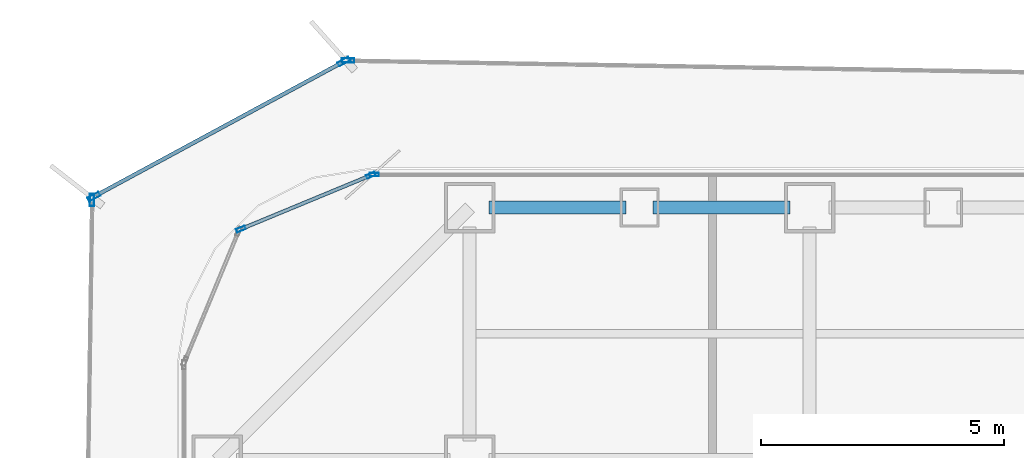
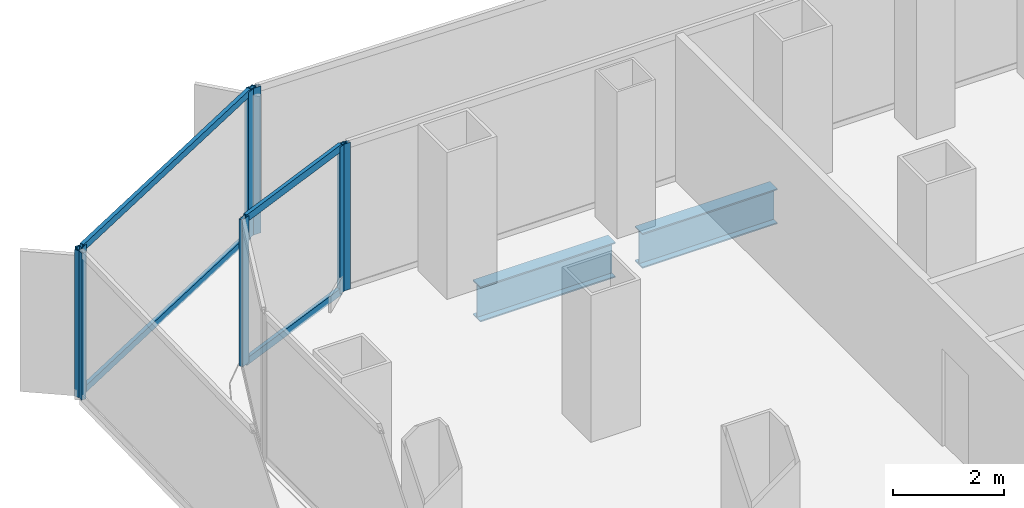
# One storey, part 11 of 22: 11 members, 2 beams, 5 elements without a shape of their own.
"""IFC4 building model written with IfcOpenShell, lengths in metres."""

import ifcopenshell
import ifcopenshell.guid

model = None  # the IFC model being written
_history = None  # IfcOwnerHistory: only IFC2X3 demands one
_inside = {}  # id of a spatial element -> (the spatial element, [elements in it])
_under = {}  # id of a project, library or spatial element -> (it, [spatial elements below it])
_declared = {}  # id of a project -> (the project, [libraries it declares])
_typed = {}  # id of a type object -> (the type object, [elements of that type])
_made_of = {}  # id of a material, layer set ... -> (it, [elements and type objects made of it])


def new_model(schema):
    """Start an empty IFC model of exactly this schema.

    Asked for "IFC4X3", IfcOpenShell would pick the latest addendum, in which some entities
    have other attributes; the version numbers below select the first issue.
    IFC2X3 requires an IfcOwnerHistory on every rooted entity: one is made here for all.
    """
    global model, _history
    if schema == "IFC4X3":
        model = ifcopenshell.file(schema_version=(4, 3, 0, 0))
    else:
        model = ifcopenshell.file(schema=schema)
    _inside.clear()
    _under.clear()
    _declared.clear()
    _typed.clear()
    _made_of.clear()
    _history = None
    if model.schema == "IFC2X3":
        org = make("IfcOrganization", Name="unknown")
        user = make(
            "IfcPersonAndOrganization",
            ThePerson=make("IfcPerson", FamilyName="unknown"),
            TheOrganization=org,
        )
        app = make(
            "IfcApplication",
            ApplicationDeveloper=org,
            Version="unknown",
            ApplicationFullName="unknown",
            ApplicationIdentifier="unknown",
        )
        _history = make(
            "IfcOwnerHistory",
            OwningUser=user,
            OwningApplication=app,
            ChangeAction="ADDED",
            CreationDate=0,
        )
    return model


def make(cls, **values):
    """One entity of the class cls with the attributes given. An attribute that is None is left unset."""
    return model.create_entity(
        cls, **{name: value for name, value in values.items() if value is not None}
    )


def rooted(cls, **values):
    """An entity with a GlobalId (a new one), such as an element, a storey or a relation."""
    return make(cls, GlobalId=ifcopenshell.guid.new(), OwnerHistory=_history, **values)


def si_unit(unit_type, name, prefix=None):
    """IfcSIUnit, for example si_unit("LENGTHUNIT", "METRE", prefix="MILLI")."""
    return make("IfcSIUnit", UnitType=unit_type, Prefix=prefix, Name=name)


def assignment(units):
    """IfcUnitAssignment: the units of a project."""
    return None if units is None else make("IfcUnitAssignment", Units=units)


def point(xyz):
    """IfcCartesianPoint."""
    return None if xyz is None else make("IfcCartesianPoint", Coordinates=xyz)


def direction(xyz):
    """IfcDirection."""
    return None if xyz is None else make("IfcDirection", DirectionRatios=xyz)


def frame(location, z_axis=None, x_axis=None):
    """IfcAxis2Placement3D, a coordinate frame: its origin and axes. An axis left out is left unset."""
    return make(
        "IfcAxis2Placement3D",
        Location=point(location),
        Axis=direction(z_axis),
        RefDirection=direction(x_axis),
    )


def frame_2d(location, x_axis=None):
    """IfcAxis2Placement2D, a coordinate frame in the plane: its origin and x axis."""
    return make(
        "IfcAxis2Placement2D", Location=point(location), RefDirection=direction(x_axis)
    )


def origin():
    """The frame at (0, 0, 0) with its axes left unset."""
    return frame((0.0, 0.0, 0.0))


def origin_2d():
    """The frame at (0, 0) in the plane with its x axis left unset."""
    return frame_2d((0.0, 0.0))


def place(relative_to, where):
    """IfcLocalPlacement: puts the frame where relative to a parent placement (None: the world)."""
    return make(
        "IfcLocalPlacement", PlacementRelTo=relative_to, RelativePlacement=where
    )


def context(
    kind, dimensions, precision=None, world=None, true_north=None, identifier=None
):
    """IfcGeometricRepresentationContext, for example the 3D "Model" context."""
    return make(
        "IfcGeometricRepresentationContext",
        ContextIdentifier=identifier,
        ContextType=kind,
        CoordinateSpaceDimension=dimensions,
        Precision=precision,
        WorldCoordinateSystem=world,
        TrueNorth=true_north,
    )


def subcontext(parent, identifier, kind, view, scale=None):
    """IfcGeometricRepresentationSubContext, for example "Body" below "Model"."""
    return make(
        "IfcGeometricRepresentationSubContext",
        ContextIdentifier=identifier,
        ContextType=kind,
        ParentContext=parent,
        TargetScale=scale,
        TargetView=view,
    )


def project(units=None, contexts=None):
    """IfcProject with its units and contexts."""
    return rooted(
        "IfcProject",
        Name="project",
        RepresentationContexts=contexts,
        UnitsInContext=assignment(units),
    )


def spatial(cls, under=None, at=None, **own):
    """A site, building, storey or space (cls), placed at a placement, below another one or the project."""
    s = rooted(cls, ObjectPlacement=at, **own)
    if under is not None:
        _under.setdefault(under.id(), (under, []))[1].append(s)
    return s


def profile(cls, at=None, kind="AREA", **sizes):
    """A parametric profile (cls). Its sizes go by their IFC names, for example OverallWidth=200.0."""
    return make(cls, ProfileType=kind, Position=at, **sizes)


def hollow_rectangle(**sizes):
    """IfcRectangleHollowProfileDef."""
    return profile("IfcRectangleHollowProfileDef", **sizes)


def i_section(**sizes):
    """IfcIShapeProfileDef."""
    return profile("IfcIShapeProfileDef", **sizes)


def extrude(swept, where, along, depth):
    """IfcExtrudedAreaSolid: the profile swept, set in the frame where, extruded along a direction by depth."""
    return make(
        "IfcExtrudedAreaSolid",
        SweptArea=swept,
        Position=where,
        ExtrudedDirection=direction(along),
        Depth=depth,
    )


def shape(context_of_items, identifier, shape_type, items):
    """IfcShapeRepresentation: the items that make up one representation, for example the "Body"."""
    return make(
        "IfcShapeRepresentation",
        ContextOfItems=context_of_items,
        RepresentationIdentifier=identifier,
        RepresentationType=shape_type,
        Items=items,
    )


def source(mapping_origin, context_of_items, identifier, shape_type, items):
    """IfcRepresentationMap: a shape defined once, which mapped items show again and again."""
    return make(
        "IfcRepresentationMap",
        MappingOrigin=mapping_origin,
        MappedRepresentation=shape(context_of_items, identifier, shape_type, items),
    )


def transform(
    local_origin,
    x_axis=None,
    y_axis=None,
    z_axis=None,
    scale=None,
    scale2=None,
    scale3=None,
    uniform=True,
):
    """IfcCartesianTransformationOperator3D, or its non-uniform kind. x_axis, y_axis, z_axis: its Axis1, 2, 3."""
    if uniform:
        return make(
            "IfcCartesianTransformationOperator3D",
            Axis1=direction(x_axis),
            Axis2=direction(y_axis),
            LocalOrigin=point(local_origin),
            Scale=scale,
            Axis3=direction(z_axis),
        )
    return make(
        "IfcCartesianTransformationOperator3DnonUniform",
        Axis1=direction(x_axis),
        Axis2=direction(y_axis),
        LocalOrigin=point(local_origin),
        Scale=scale,
        Axis3=direction(z_axis),
        Scale2=scale2,
        Scale3=scale3,
    )


def mapped(mapping_source, mapping_target):
    """IfcMappedItem: shows the shape of a source again, moved by a transform."""
    return make(
        "IfcMappedItem", MappingSource=mapping_source, MappingTarget=mapping_target
    )


def material(Name=None, Category=None):
    """IfcMaterial."""
    return make("IfcMaterial", Name=Name, Category=Category)


def layer(
    of_material, thickness, ventilated=None, Name=None, Category=None, Priority=None
):
    """IfcMaterialLayer: one layer of a wall or slab, of a material (None: an air gap)."""
    return make(
        "IfcMaterialLayer",
        Material=of_material,
        LayerThickness=thickness,
        IsVentilated=ventilated,
        Name=Name,
        Category=Category,
        Priority=Priority,
    )


def layer_set(layers, Name=None):
    """IfcMaterialLayerSet."""
    return make("IfcMaterialLayerSet", MaterialLayers=layers, LayerSetName=Name)


def material_profile(
    of_material, cross_section, Name=None, Category=None, Priority=None
):
    """IfcMaterialProfile: a cross section and its material."""
    return make(
        "IfcMaterialProfile",
        Name=Name,
        Material=of_material,
        Profile=cross_section,
        Priority=Priority,
        Category=Category,
    )


def profile_set(profiles, Name=None, composite=None):
    """IfcMaterialProfileSet."""
    return make(
        "IfcMaterialProfileSet",
        Name=Name,
        MaterialProfiles=profiles,
        CompositeProfile=composite,
    )


def made_of(thing, what):
    """Note that an element or type object is made of a material, layer set ...; save() writes the relation."""
    if what is not None:
        _made_of.setdefault(what.id(), (what, []))[1].append(thing)
    return thing


def type_object(cls, material=None, **own):
    """A type object (cls), such as IfcWallType, which elements share."""
    return made_of(rooted(cls, **own), material)


def element(
    cls,
    number,
    at=None,
    inside=None,
    cuts=None,
    type_object=None,
    material=None,
    context=None,
    identifier="Body",
    shape_type=None,
    held_by="IfcProductDefinitionShape",
    body=None,
    shapes=None,
    **own,
):
    """One element of the class cls, such as IfcWall. Its Tag is "e" and its number.

    at: its placement. inside: the storey or other place that contains it. cuts: it is an
    opening in that element (IfcRelVoidsElement). A single representation is given by context,
    identifier, shape_type and body (its items); several are given by shapes. held_by: the class
    of the entity that holds the representations. save() writes the other relations.
    """
    e = rooted(cls, Tag="e%d" % number, ObjectPlacement=at, **own)
    if body is not None:
        shapes = [shape(context, identifier, shape_type, body)]
    if shapes is not None:
        e.Representation = make(held_by, Representations=shapes)
    if inside is not None:
        _inside.setdefault(inside.id(), (inside, []))[1].append(e)
    if cuts is not None:
        rooted(
            "IfcRelVoidsElement", RelatingBuildingElement=cuts, RelatedOpeningElement=e
        )
    if type_object is not None:
        _typed.setdefault(type_object.id(), (type_object, []))[1].append(e)
    return made_of(e, material)


def aggregate(whole, parts):
    """IfcRelAggregates: a whole, such as a stair, and the parts it consists of."""
    return rooted("IfcRelAggregates", RelatingObject=whole, RelatedObjects=parts)


def save(model, path):
    """Write the relations noted so far, then the file.

    IfcRelAggregates (storeys below a building ...), IfcRelContainedInSpatialStructure (elements
    in a storey), IfcRelDefinesByType, IfcRelAssociatesMaterial and IfcRelDeclares: one each for
    every whole, place, type object, material and project.
    """
    for whole, parts in _under.values():
        aggregate(whole, parts)
    for where, things in _inside.values():
        rooted(
            "IfcRelContainedInSpatialStructure",
            RelatedElements=things,
            RelatingStructure=where,
        )
    for kind, things in _typed.values():
        rooted("IfcRelDefinesByType", RelatedObjects=things, RelatingType=kind)
    for what, things in _made_of.values():
        rooted("IfcRelAssociatesMaterial", RelatedObjects=things, RelatingMaterial=what)
    for by, libraries in _declared.values():
        rooted("IfcRelDeclares", RelatingContext=by, RelatedDefinitions=libraries)
    model.write(path)


model = new_model("IFC4")

# Units and contexts
model_context = context("Model", 3, precision=1e-05, world=origin(), true_north=direction((0.0, 1.0)))
body_context = subcontext(model_context, "Body", "Model", "MODEL_VIEW")
ifc_project = project(units=[si_unit("LENGTHUNIT", "METRE"), si_unit("AREAUNIT", "SQUARE_METRE"), si_unit("VOLUMEUNIT", "CUBIC_METRE"), si_unit("PLANEANGLEUNIT", "RADIAN"), si_unit("MASSUNIT", "GRAM", prefix="KILO")], contexts=[model_context])

# Site, building, storey
site_placement = place(None, origin())
site = spatial("IfcSite", under=ifc_project, at=site_placement, CompositionType="ELEMENT")
building_placement = place(site_placement, origin())
building = spatial("IfcBuilding", under=site, at=building_placement, Name="Kolveth Station Tower", CompositionType="ELEMENT")
storey_placement = place(building_placement, frame((0.0, 0.0, 72.89990234375)))
storey = spatial("IfcBuildingStorey", under=building, at=storey_placement, Name="L19", CompositionType="ELEMENT", Elevation=72.89990234375)

# Beams
ifc_material_1 = material(Name="Steel S355", Category="steel")
ifc_material_profile_1 = material_profile(ifc_material_1, i_section(OverallWidth=0.26904296875, OverallDepth=0.77490234375, WebThickness=0.01708984375, FlangeThickness=0.0283203125, at=origin_2d()), Name="W760x220")
ifc_profile_set_1 = profile_set([ifc_material_profile_1], Name="Steel S355")
beam_type = type_object("IfcBeamType", Name="Beam_SP1", PredefinedType="SPANDREL", material=ifc_profile_set_1)
shared_shape_1 = source(origin(), body_context, "Body", "SweptSolid", [
    extrude(i_section(OverallWidth=0.26904296875, OverallDepth=0.77490234375, WebThickness=0.01708984375, FlangeThickness=0.0283203125, at=origin_2d()), origin(), (0.0, 0.0, 1.0), 2.820068359375),
])
for number, where, z_axis, x_axis, name in (
    (1, (6.39990234375, 39.699951171875, -0.66748046875), (1.0, 0.0, 0.0), (0.0, 1.0, 0.0), "L19 Perimeter Spandrel BM-L19-PN-1"),
    (2, (9.780029296875, 39.699951171875, -0.66748046875), (1.0, 0.0, 0.0), (0.0, 1.0, 0.0), "L19 Perimeter Spandrel BM-L19-PN-2"),
):
    element("IfcBeam", number, at=place(storey_placement, frame(where, z_axis=z_axis, x_axis=x_axis)), inside=storey, type_object=beam_type, Name=name, PredefinedType="SPANDREL", context=body_context, shape_type="MappedRepresentation", body=[
        mapped(shared_shape_1, transform((0.0, 0.0, 0.0), x_axis=(1.0, 0.0, 0.0), y_axis=(0.0, 1.0, 0.0), z_axis=(0.0, 0.0, 1.0), scale=1.0)),
    ])

# Curtain wall, members
ifc_material_2 = material(Name="Aluminium 6063-T6 and low-E dark glass", Category="aluminium")
ifc_layer_1 = layer(ifc_material_2, 0.179931640625)
ifc_layer_set_1 = layer_set([ifc_layer_1], Name="Aluminium 6063-T6 and low-E dark glass")
curtain_wall_type_1 = type_object("IfcCurtainWallType", Name="CurtainWall_CW-Z1", PredefinedType="NOTDEFINED", material=ifc_layer_set_1)
curtain_wall_1_placement = place(storey_placement, origin())
curtain_wall_1 = element("IfcCurtainWall", 3, at=curtain_wall_1_placement, inside=storey, type_object=curtain_wall_type_1, Name="L19 Inner Thermal Curtain Wall 7", PredefinedType="NOTDEFINED")
ifc_material_3 = material(Name="Black anodized aluminium 6063-T6", Category="aluminium")
ifc_material_profile_2 = material_profile(ifc_material_3, hollow_rectangle(XDim=0.074951171875, YDim=0.159912109375, WallThickness=0.0048828125, at=origin_2d()), Name="ALU-75x160x5")
ifc_profile_set_2 = profile_set([ifc_material_profile_2], Name="Black anodized aluminium 6063-T6")
member_type_1 = type_object("IfcMemberType", Name="Transom_TR1", PredefinedType="USERDEFINED", material=ifc_profile_set_2)
shared_shape_2 = source(origin(), body_context, "Body", "SweptSolid", [
    extrude(hollow_rectangle(XDim=0.074951171875, YDim=0.159912109375, WallThickness=0.0048828125, at=origin_2d()), origin(), (0.0, 0.0, 1.0), 2.819580078125),
])
member_1_placement = place(storey_placement, frame((3.9306640625, 40.351318359375, 0.03759765625), z_axis=(-0.923869084389, -0.382708655389, 0.0), x_axis=(0.382708655389, -0.923869084389, 0.0)))
member_1 = element("IfcMember", 4, at=member_1_placement, type_object=member_type_1, Name="CW-Z1 transom 1.1", ObjectType="TRANSOM", PredefinedType="USERDEFINED", context=body_context, shape_type="MappedRepresentation", body=[
    mapped(shared_shape_2, transform((0.0, 0.0, 0.0), x_axis=(1.0, 0.0, 0.0), y_axis=(0.0, 1.0, 0.0), z_axis=(0.0, 0.0, 1.0), scale=1.0)),
])
member_2_placement = place(storey_placement, frame((3.9306640625, 40.351318359375, 3.20263671875), z_axis=(-0.923869084389, -0.382708655389, 0.0), x_axis=(0.382708655389, -0.923869084389, 0.0)))
member_2 = element("IfcMember", 5, at=member_2_placement, type_object=member_type_1, Name="CW-Z1 transom 1.2", ObjectType="TRANSOM", PredefinedType="USERDEFINED", context=body_context, shape_type="MappedRepresentation", body=[
    mapped(shared_shape_2, transform((0.0, 0.0, 0.0), x_axis=(1.0, 0.0, 0.0), y_axis=(0.0, 1.0, 0.0), z_axis=(0.0, 0.0, 1.0), scale=1.0)),
])

# Curtain wall, member
curtain_wall_2_placement = place(storey_placement, origin())
curtain_wall_2 = element("IfcCurtainWall", 6, at=curtain_wall_2_placement, inside=storey, type_object=curtain_wall_type_1, Name="L19 Inner Thermal Curtain Wall 6", PredefinedType="NOTDEFINED")
ifc_material_profile_3 = material_profile(ifc_material_3, hollow_rectangle(XDim=0.074951171875, YDim=0.18994140625, WallThickness=0.0048828125, at=origin_2d()), Name="ALU-75x190x5")
ifc_profile_set_3 = profile_set([ifc_material_profile_3], Name="Black anodized aluminium 6063-T6")
member_type_2 = type_object("IfcMemberType", Name="Mullion_ML1", PredefinedType="MULLION", material=ifc_profile_set_3)
shared_shape_3 = source(origin(), body_context, "Body", "SweptSolid", [
    extrude(hollow_rectangle(XDim=0.074951171875, YDim=0.18994140625, WallThickness=0.0048828125, at=origin_2d()), origin(), (0.0, 0.0, 1.0), 3.239990234375),
])
member_3_placement = place(storey_placement, frame((4.03759765625, 40.3798828125, 0.0), z_axis=(0.0, 0.0, 1.0), x_axis=(0.0, -1.0, 0.0)))
member_3 = element("IfcMember", 7, at=member_3_placement, type_object=member_type_2, Name="CW-Z1 mullion 3", PredefinedType="MULLION", context=body_context, shape_type="MappedRepresentation", body=[
    mapped(shared_shape_3, transform((0.0, 0.0, 0.0), x_axis=(1.0, 0.0, 0.0), y_axis=(0.0, 1.0, 0.0), z_axis=(0.0, 0.0, 1.0), scale=1.0)),
])
aggregate(curtain_wall_2, [member_3])

# Member
member_4_placement = place(storey_placement, frame((3.96533203125, 40.36572265625, 0.0), z_axis=(0.0, 0.0, 1.0), x_axis=(0.382672990201, -0.923883857728, 0.0)))
member_4 = element("IfcMember", 8, at=member_4_placement, type_object=member_type_2, Name="CW-Z1 mullion 1", PredefinedType="MULLION", context=body_context, shape_type="MappedRepresentation", body=[
    mapped(shared_shape_3, transform((0.0, 0.0, 0.0), x_axis=(1.0, 0.0, 0.0), y_axis=(0.0, 1.0, 0.0), z_axis=(0.0, 0.0, 1.0), scale=1.0)),
])

member_5_placement = place(storey_placement, frame((1.291015625, 39.258056640625, 0.0), z_axis=(0.0, 0.0, 1.0), x_axis=(0.382672990201, -0.923883857728, 0.0)))
member_5 = element("IfcMember", 9, at=member_5_placement, type_object=member_type_2, Name="CW-Z1 mullion 2", PredefinedType="MULLION", context=body_context, shape_type="MappedRepresentation", body=[
    mapped(shared_shape_3, transform((0.0, 0.0, 0.0), x_axis=(1.0, 0.0, 0.0), y_axis=(0.0, 1.0, 0.0), z_axis=(0.0, 0.0, 1.0), scale=1.0)),
])

aggregate(curtain_wall_1, [member_4, member_5, member_1, member_2])

# Curtain wall, member
ifc_material_4 = material(Name="Black anodized aluminium 6063-T6 and dark solar glass", Category="aluminium")
ifc_layer_2 = layer(ifc_material_4, 0.159912109375)
ifc_layer_set_2 = layer_set([ifc_layer_2], Name="Black anodized aluminium 6063-T6 and dark solar glass")
curtain_wall_type_2 = type_object("IfcCurtainWallType", Name="OUTER SKIN CW-OS", PredefinedType="NOTDEFINED", material=ifc_layer_set_2)
curtain_wall_3_placement = place(storey_placement, origin())
curtain_wall_3 = element("IfcCurtainWall", 10, at=curtain_wall_3_placement, inside=storey, type_object=curtain_wall_type_2, Name="L19 Outer Ventilated Skin Curtain Wall 4", PredefinedType="NOTDEFINED")
ifc_material_profile_4 = material_profile(ifc_material_3, hollow_rectangle(XDim=0.090087890625, YDim=0.260009765625, WallThickness=0.0048828125, at=origin_2d()), Name="ALU-90x260x5")
ifc_profile_set_4 = profile_set([ifc_material_profile_4], Name="Black anodized aluminium 6063-T6")
member_type_3 = type_object("IfcMemberType", Name="FIN MULLION ML-OS", PredefinedType="MULLION", material=ifc_profile_set_4)
shared_shape_4 = source(origin(), body_context, "Body", "SweptSolid", [
    extrude(hollow_rectangle(XDim=0.090087890625, YDim=0.260009765625, WallThickness=0.0048828125, at=origin_2d()), origin(), (0.0, 0.0, 1.0), 3.239990234375),
])
member_6_placement = place(storey_placement, frame((3.49609375, 42.72998046875, 0.0), z_axis=(0.0, 0.0, 1.0), x_axis=(-0.016902817147, -0.999857137181, 0.0)))
member_6 = element("IfcMember", 11, at=member_6_placement, type_object=member_type_3, Name="CW-OS mullion 2", PredefinedType="MULLION", context=body_context, shape_type="MappedRepresentation", body=[
    mapped(shared_shape_4, transform((0.0, 0.0, 0.0), x_axis=(1.0, 0.0, 0.0), y_axis=(0.0, 1.0, 0.0), z_axis=(0.0, 0.0, 1.0), scale=1.0)),
])
aggregate(curtain_wall_3, [member_6])

# Curtain wall, members
curtain_wall_4_placement = place(storey_placement, origin())
curtain_wall_4 = element("IfcCurtainWall", 12, at=curtain_wall_4_placement, inside=storey, type_object=curtain_wall_type_2, Name="L19 Outer Ventilated Skin Curtain Wall 5", PredefinedType="NOTDEFINED")
member_7_placement = place(storey_placement, frame((3.411376953125, 42.70947265625, 0.0), z_axis=(0.0, 0.0, 1.0), x_axis=(0.475606809245, -0.879657980695, 0.0)))
member_7 = element("IfcMember", 13, at=member_7_placement, type_object=member_type_3, Name="CW-OS mullion 1", PredefinedType="MULLION", context=body_context, shape_type="MappedRepresentation", body=[
    mapped(shared_shape_4, transform((0.0, 0.0, 0.0), x_axis=(1.0, 0.0, 0.0), y_axis=(0.0, 1.0, 0.0), z_axis=(0.0, 0.0, 1.0), scale=1.0)),
])
member_8_placement = place(storey_placement, frame((-1.7353515625, 39.9267578125, 0.0), z_axis=(0.0, 0.0, 1.0), x_axis=(0.475606809245, -0.879657980695, 0.0)))
member_8 = element("IfcMember", 14, at=member_8_placement, type_object=member_type_3, Name="CW-OS mullion 2", PredefinedType="MULLION", context=body_context, shape_type="MappedRepresentation", body=[
    mapped(shared_shape_4, transform((0.0, 0.0, 0.0), x_axis=(1.0, 0.0, 0.0), y_axis=(0.0, 1.0, 0.0), z_axis=(0.0, 0.0, 1.0), scale=1.0)),
])

# Curtain wall, member
curtain_wall_5_placement = place(storey_placement, origin())
curtain_wall_5 = element("IfcCurtainWall", 15, at=curtain_wall_5_placement, inside=storey, type_object=curtain_wall_type_2, Name="L19 Outer Ventilated Skin Curtain Wall 6", PredefinedType="NOTDEFINED")
member_9_placement = place(storey_placement, frame((-1.775634765625, 39.8603515625, 0.0), z_axis=(0.0, 0.0, 1.0), x_axis=(0.999883199442, -0.015283568744, 0.0)))
member_9 = element("IfcMember", 16, at=member_9_placement, type_object=member_type_3, Name="CW-OS mullion 1", PredefinedType="MULLION", context=body_context, shape_type="MappedRepresentation", body=[
    mapped(shared_shape_4, transform((0.0, 0.0, 0.0), x_axis=(1.0, 0.0, 0.0), y_axis=(0.0, 1.0, 0.0), z_axis=(0.0, 0.0, 1.0), scale=1.0)),
])
aggregate(curtain_wall_5, [member_9])

# Member
ifc_material_profile_5 = material_profile(ifc_material_3, hollow_rectangle(XDim=0.080078125, YDim=0.14990234375, WallThickness=0.0048828125, at=origin_2d()), Name="ALU-80x150x5")
ifc_profile_set_5 = profile_set([ifc_material_profile_5], Name="Black anodized aluminium 6063-T6")
member_type_4 = type_object("IfcMemberType", Name="Transom_TR-OS", PredefinedType="USERDEFINED", material=ifc_profile_set_5)
shared_shape_5 = source(origin(), body_context, "Body", "SweptSolid", [
    extrude(hollow_rectangle(XDim=0.080078125, YDim=0.14990234375, WallThickness=0.0048828125, at=origin_2d()), origin(), (0.0, 0.0, 1.0), 5.760986328125),
])
member_10_placement = place(storey_placement, frame((3.371826171875, 42.68798828125, 0.0400390625), z_axis=(-0.879653325163, -0.475615419777, 0.0), x_axis=(0.475615419777, -0.879653325163, 0.0)))
member_10 = element("IfcMember", 17, at=member_10_placement, type_object=member_type_4, Name="CW-OS transom 1.1", ObjectType="TRANSOM", PredefinedType="USERDEFINED", context=body_context, shape_type="MappedRepresentation", body=[
    mapped(shared_shape_5, transform((0.0, 0.0, 0.0), x_axis=(1.0, 0.0, 0.0), y_axis=(0.0, 1.0, 0.0), z_axis=(0.0, 0.0, 1.0), scale=1.0)),
])

member_11_placement = place(storey_placement, frame((3.371826171875, 42.68798828125, 3.2001953125), z_axis=(-0.879653325163, -0.475615419777, 0.0), x_axis=(0.475615419777, -0.879653325163, 0.0)))
member_11 = element("IfcMember", 18, at=member_11_placement, type_object=member_type_4, Name="CW-OS transom 1.2", ObjectType="TRANSOM", PredefinedType="USERDEFINED", context=body_context, shape_type="MappedRepresentation", body=[
    mapped(shared_shape_5, transform((0.0, 0.0, 0.0), x_axis=(1.0, 0.0, 0.0), y_axis=(0.0, 1.0, 0.0), z_axis=(0.0, 0.0, 1.0), scale=1.0)),
])

aggregate(curtain_wall_4, [member_7, member_8, member_10, member_11])

save(model, "model.ifc")
